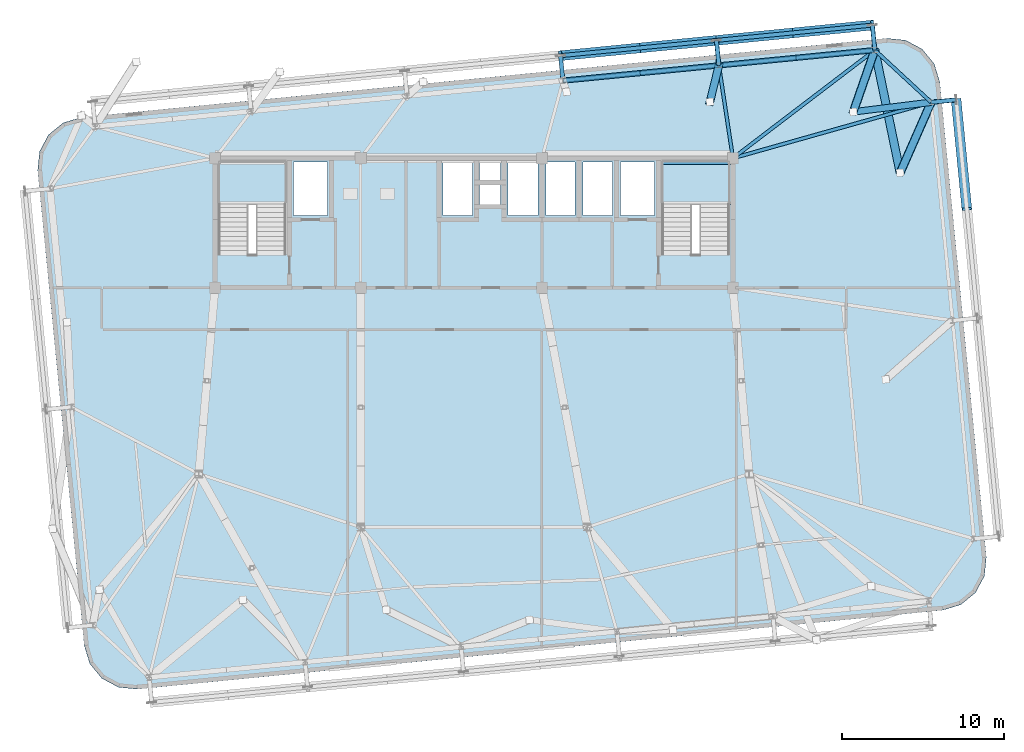
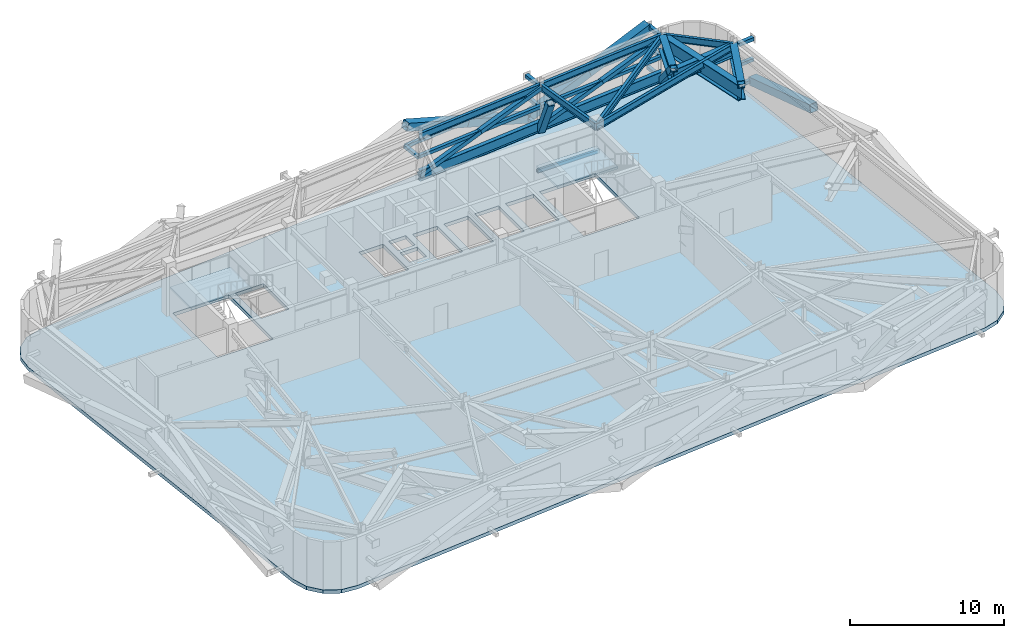
# One storey, part 12 of 24: 28 members, 11 beams, 3 slabs, 2 elements without a shape of their own.
"""IFC4 building model written with IfcOpenShell, lengths in metres."""

from ifc_helpers import new_model, si_unit, direction, frame, origin, origin_2d, place, context, subcontext, project, spatial, polyline, hollow_rectangle, i_section, outline, extrude, source, transform, mapped, material, layer, layer_set, material_profile, profile_set, type_object, element, aggregate, save


model = new_model("IFC4")

# Units and contexts
model_context = context("Model", 3, precision=1e-05, world=origin(), true_north=direction((0.0, 1.0)))
body_context = subcontext(model_context, "Body", "Model", "MODEL_VIEW")
ifc_project = project(units=[si_unit("LENGTHUNIT", "METRE"), si_unit("AREAUNIT", "SQUARE_METRE"), si_unit("VOLUMEUNIT", "CUBIC_METRE"), si_unit("PLANEANGLEUNIT", "RADIAN"), si_unit("MASSUNIT", "GRAM", prefix="KILO")], contexts=[model_context])

# Site, building, storey
site_placement = place(None, origin())
site = spatial("IfcSite", under=ifc_project, at=site_placement, CompositionType="ELEMENT")
building_placement = place(site_placement, origin())
building = spatial("IfcBuilding", under=site, at=building_placement, Name="Taldren Reach Tower", CompositionType="ELEMENT")
storey_placement = place(building_placement, frame((0.0, 0.0, 112.35009765625)))
storey = spatial("IfcBuildingStorey", under=building, at=storey_placement, Name="L34", CompositionType="ELEMENT", Elevation=112.35009765625)

# Beam
ifc_material_1 = material(Name="Steel Gr 350 (350PLUS)", Category="steel")
ifc_material_profile_1 = material_profile(ifc_material_1, i_section(OverallWidth=0.208984375, OverallDepth=0.528076171875, WebThickness=0.009521484375, FlangeThickness=0.01318359375, at=origin_2d()), Name="530UB82.0")
ifc_profile_set_1 = profile_set([ifc_material_profile_1], Name="Steel Gr 350 (350PLUS)")
beam_type_1 = type_object("IfcBeamType", Name="SP-UB530B", PredefinedType="SPANDREL", material=ifc_profile_set_1)
shared_shape_1 = source(origin(), body_context, "Body", "SweptSolid", [
    extrude(i_section(OverallWidth=0.208984375, OverallDepth=0.528076171875, WebThickness=0.009521484375, FlangeThickness=0.01318359375, at=origin_2d()), origin(), (0.0, 0.0, 1.0), 4.74609375),
])
beam_1_placement = place(storey_placement, frame((63.247314453125, 35.454345703125, 3.515869140625), z_axis=(-0.733547883762, 0.679637772809, 0.0), x_axis=(-0.679637772809, -0.733547883762, 0.0)))
element("IfcBeam", 1, at=beam_1_placement, inside=storey, type_object=beam_type_1, Name="Perimeter spandrel B2 E3-N6 L34", PredefinedType="SPANDREL", context=body_context, shape_type="MappedRepresentation", body=[
    mapped(shared_shape_1, transform((0.0, 0.0, 0.0), scale=1.0)),
])

# Members
ifc_material_2 = material(Name="Steel Gr 450 (C450L0)", Category="steel")
ifc_material_profile_2 = material_profile(ifc_material_2, hollow_rectangle(XDim=0.27490234375, YDim=0.27490234375, WallThickness=0.00927734375, at=origin_2d()), Name="275x275x9.3SHS")
ifc_profile_set_2 = profile_set([ifc_material_profile_2], Name="Steel Gr 450 (C450L0)")
member_type_1 = type_object("IfcMemberType", Name="MB-TIE273", PredefinedType="STRUT", material=ifc_profile_set_2)
shared_shape_2 = source(origin(), body_context, "Body", "SweptSolid", [
    extrude(hollow_rectangle(XDim=0.27490234375, YDim=0.27490234375, WallThickness=0.00927734375, at=origin_2d()), origin(), (0.0, 0.0, 1.0), 1.5498046875),
])
for number, where, z_axis, x_axis, name in (
    (2, (50.132080078125, 37.7353515625, 3.5), (-0.097663201064, 0.995219523099, 0.0), (-0.995219523099, -0.097663201064, 0.0), "Exoskeleton diaphragm tie strut B2-N5 L34"),
    (3, (59.765869140625, 38.679931640625, 3.5), (-0.097663201064, 0.995219523099, 0.0), (-0.995219523099, -0.097663201064, 0.0), "Exoskeleton diaphragm tie strut B2-N6 L34"),
    (4, (63.247314453125, 35.454345703125, 3.5), (0.995234821595, 0.097507178627, 0.0), (-0.097507178627, 0.995234821595, 0.0), "Exoskeleton diaphragm tie strut B2-E3 L34"),
):
    element("IfcMember", number, at=place(storey_placement, frame(where, z_axis=z_axis, x_axis=x_axis)), inside=storey, type_object=member_type_1, Name=name, PredefinedType="STRUT", context=body_context, shape_type="MappedRepresentation", body=[
        mapped(shared_shape_2, transform((0.0, 0.0, 0.0), scale=1.0)),
    ])
ifc_material_3 = material(Name="Steel Gr 350 (C350L0)", Category="steel")
ifc_material_profile_3 = material_profile(ifc_material_3, hollow_rectangle(XDim=0.25, YDim=0.25, WallThickness=0.010009765625, at=origin_2d()), Name="250x250x10.0SHS")
ifc_profile_set_3 = profile_set([ifc_material_profile_3], Name="Steel Gr 350 (C350L0)")
member_type_2 = type_object("IfcMemberType", Name="MB-POST250", PredefinedType="POST", material=ifc_profile_set_3)
shared_shape_3 = source(origin(), body_context, "Body", "SweptSolid", [
    extrude(hollow_rectangle(XDim=0.25, YDim=0.25, WallThickness=0.010009765625, at=origin_2d()), origin(), (0.0, 0.0, 1.0), 1.5498046875),
])
for number, where, z_axis, x_axis, name in (
    (5, (50.132080078125, 37.7353515625, 0.219970703125), (-0.097663201064, 0.995219523099, 0.0), (-0.995219523099, -0.097663201064, 0.0), "Exoskeleton base diaphragm tie strut B2-N5 L34"),
    (6, (59.765869140625, 38.679931640625, 0.219970703125), (-0.097663201064, 0.995219523099, 0.0), (-0.995219523099, -0.097663201064, 0.0), "Exoskeleton base diaphragm tie strut B2-N6 L34"),
    (7, (63.247314453125, 35.454345703125, 0.219970703125), (0.995234821595, 0.097507178627, 0.0), (-0.097507178627, 0.995234821595, 0.0), "Exoskeleton base diaphragm tie strut B2-E3 L34"),
    (8, (40.498291015625, 36.790771484375, 1.85986328125), (-0.097663201064, 0.995219523099, 0.0), (-0.995219523099, -0.097663201064, 0.0), "Exoskeleton mid-tier diaphragm tie B2-N4 L34"),
    (9, (50.132080078125, 37.7353515625, 1.85986328125), (-0.097663201064, 0.995219523099, 0.0), (-0.995219523099, -0.097663201064, 0.0), "Exoskeleton mid-tier diaphragm tie B2-N5 L34"),
    (10, (59.765869140625, 38.679931640625, 1.85986328125), (-0.097663201064, 0.995219523099, 0.0), (-0.995219523099, -0.097663201064, 0.0), "Exoskeleton mid-tier diaphragm tie B2-N6 L34"),
    (11, (63.247314453125, 35.454345703125, 1.85986328125), (0.995234821595, 0.097507178627, 0.0), (-0.097507178627, 0.995234821595, 0.0), "Exoskeleton mid-tier diaphragm tie B2-E3 L34"),
):
    element("IfcMember", number, at=place(storey_placement, frame(where, z_axis=z_axis, x_axis=x_axis)), inside=storey, type_object=member_type_2, Name=name, PredefinedType="POST", context=body_context, shape_type="MappedRepresentation", body=[
        mapped(shared_shape_3, transform((0.0, 0.0, 0.0), scale=1.0)),
    ])

# Beams
shared_shape_4 = source(origin(), body_context, "Body", "SweptSolid", [
    extrude(i_section(OverallWidth=0.208984375, OverallDepth=0.528076171875, WebThickness=0.009521484375, FlangeThickness=0.01318359375, at=origin_2d()), origin(), (0.0, 0.0, 1.0), 9.679931640625),
])
for number, where, z_axis, x_axis, name in (
    (12, (59.765869140625, 38.679931640625, 3.515869140625), (-0.995227612658, -0.097580730699, 0.0), (0.097580730699, -0.995227612658, 0.0), "Perimeter spandrel B2 N6-N5 L34"),
    (13, (50.132080078125, 37.7353515625, 3.515869140625), (-0.995227612658, -0.097580730699, 0.0), (0.097580730699, -0.995227612658, 0.0), "Perimeter spandrel B2 N5-N4 L34"),
):
    element("IfcBeam", number, at=place(storey_placement, frame(where, z_axis=z_axis, x_axis=x_axis)), inside=storey, type_object=beam_type_1, Name=name, PredefinedType="SPANDREL", context=body_context, shape_type="MappedRepresentation", body=[
        mapped(shared_shape_4, transform((0.0, 0.0, 0.0), scale=1.0)),
    ])
ifc_material_profile_4 = material_profile(ifc_material_1, i_section(OverallWidth=0.208984375, OverallDepth=0.532958984375, WebThickness=0.01025390625, FlangeThickness=0.015625, at=origin_2d()), Name="530UB92.4")
ifc_profile_set_4 = profile_set([ifc_material_profile_4], Name="Steel Gr 350 (350PLUS)")
beam_type_2 = type_object("IfcBeamType", Name="BM-UB530A", PredefinedType="BEAM", material=ifc_profile_set_4)
shared_shape_5 = source(origin(), body_context, "Body", "SweptSolid", [
    extrude(i_section(OverallWidth=0.208984375, OverallDepth=0.532958984375, WebThickness=0.01025390625, FlangeThickness=0.015625, at=origin_2d()), origin(), (0.0, 0.0, 1.0), 12.72509765625),
])
beam_2_placement = place(storey_placement, frame((51.0, 32.0, 3.513427734375), z_axis=(0.962450190096, 0.271458342264, 0.0), x_axis=(-0.271458342264, 0.962450190096, 0.0)))
element("IfcBeam", 14, at=beam_2_placement, inside=storey, type_object=beam_type_2, Name="Primary floor girder B2-E3 L34", PredefinedType="BEAM", context=body_context, shape_type="MappedRepresentation", body=[
    mapped(shared_shape_5, transform((0.0, 0.0, 0.0), scale=1.0)),
])
shared_shape_6 = source(origin(), body_context, "Body", "SweptSolid", [
    extrude(i_section(OverallWidth=0.208984375, OverallDepth=0.532958984375, WebThickness=0.01025390625, FlangeThickness=0.015625, at=origin_2d()), origin(), (0.0, 0.0, 1.0), 11.02099609375),
])
beam_3_placement = place(storey_placement, frame((51.0, 32.0, 3.513427734375), z_axis=(0.795380356763, 0.606110623629, 0.0), x_axis=(-0.606110623629, 0.795380356763, 0.0)))
element("IfcBeam", 15, at=beam_3_placement, inside=storey, type_object=beam_type_2, Name="Primary floor girder B2-N6 L34", PredefinedType="BEAM", context=body_context, shape_type="MappedRepresentation", body=[
    mapped(shared_shape_6, transform((0.0, 0.0, 0.0), scale=1.0)),
])
shared_shape_7 = source(origin(), body_context, "Body", "SweptSolid", [
    extrude(i_section(OverallWidth=0.208984375, OverallDepth=0.532958984375, WebThickness=0.01025390625, FlangeThickness=0.015625, at=origin_2d()), origin(), (0.0, 0.0, 1.0), 5.800537109375),
])
beam_4_placement = place(storey_placement, frame((51.0, 32.0, 3.513427734375), z_axis=(-0.149624592867, 0.988742879221, 0.0), x_axis=(-0.988742879221, -0.149624592867, 0.0)))
element("IfcBeam", 16, at=beam_4_placement, inside=storey, type_object=beam_type_2, Name="Primary floor girder B2-N5 L34", PredefinedType="BEAM", context=body_context, shape_type="MappedRepresentation", body=[
    mapped(shared_shape_7, transform((0.0, 0.0, 0.0), scale=1.0)),
])

# Members
shared_shape_8 = source(origin(), body_context, "Body", "SweptSolid", [
    extrude(hollow_rectangle(XDim=0.25, YDim=0.25, WallThickness=0.010009765625, at=origin_2d()), origin(), (0.0, 0.0, 1.0), 9.679931640625),
])
for number, where, z_axis, x_axis, name in (
    (17, (40.498291015625, 36.790771484375, 1.954833984375), (0.995227612658, 0.097580730699, 0.0), (-0.097580730699, 0.995227612658, 0.0), "Belt Truss Transfer Mid Chord N4 L34"),
    (18, (50.132080078125, 37.7353515625, 1.954833984375), (0.995227612658, 0.097580730699, 0.0), (-0.097580730699, 0.995227612658, 0.0), "Belt Truss Transfer Mid Chord N5 L34"),
    (19, (40.346923828125, 38.333251953125, 1.85986328125), (0.995227612658, 0.097580730699, 0.0), (-0.097580730699, 0.995227612658, 0.0), "Exoskeleton mid-height ring chord B2-N4 L34"),
    (20, (49.980712890625, 39.27783203125, 1.85986328125), (0.995227612658, 0.097580730699, 0.0), (-0.097580730699, 0.995227612658, 0.0), "Exoskeleton mid-height ring chord B2-N5 L34"),
):
    element("IfcMember", number, at=place(storey_placement, frame(where, z_axis=z_axis, x_axis=x_axis)), inside=storey, type_object=member_type_2, Name=name, PredefinedType="POST", context=body_context, shape_type="MappedRepresentation", body=[
        mapped(shared_shape_8, transform((0.0, 0.0, 0.0), scale=1.0)),
    ])
ifc_material_profile_5 = material_profile(ifc_material_2, hollow_rectangle(XDim=0.4599609375, YDim=0.4599609375, WallThickness=0.01611328125, at=origin_2d()), Name="460x460x16.0SHS")
ifc_profile_set_5 = profile_set([ifc_material_profile_5], Name="Steel Gr 450 (C450L0)")
member_type_3 = type_object("IfcMemberType", Name="MB-EXO457", PredefinedType="BRACE", material=ifc_profile_set_5)
shared_shape_9 = source(origin(), body_context, "Body", "SweptSolid", [
    extrude(hollow_rectangle(XDim=0.4599609375, YDim=0.4599609375, WallThickness=0.01611328125, at=origin_2d()), origin(), (0.0, 0.0, 1.0), 4.418701171875),
])
member_1_placement = place(storey_placement, frame((50.132080078125, 37.7353515625, 0.02001953125), z_axis=(-0.1253657905, -0.510192908539, 0.850874029836), x_axis=(0.971112056312, -0.238623917671, 0.0)))
element("IfcMember", 21, at=member_1_placement, inside=storey, type_object=member_type_3, Name="Outrigger Belt Truss Transfer Strut TS-B3-N5 L34", PredefinedType="BRACE", context=body_context, shape_type="MappedRepresentation", body=[
    mapped(shared_shape_9, transform((0.0, 0.0, 0.0), scale=1.0)),
])
shared_shape_10 = source(origin(), body_context, "Body", "SweptSolid", [
    extrude(hollow_rectangle(XDim=0.4599609375, YDim=0.4599609375, WallThickness=0.01611328125, at=origin_2d()), origin(), (0.0, 0.0, 1.0), 5.521240234375),
])
member_2_placement = place(storey_placement, frame((59.765869140625, 38.679931640625, 0.02001953125), z_axis=(-0.24077424991, -0.691590315628, 0.680977676514), x_axis=(0.944403076817, -0.328789945861, 0.0)))
element("IfcMember", 22, at=member_2_placement, inside=storey, type_object=member_type_3, Name="Outrigger Belt Truss Transfer Strut TS-B3-N6 L34", PredefinedType="BRACE", context=body_context, shape_type="MappedRepresentation", body=[
    mapped(shared_shape_10, transform((0.0, 0.0, 0.0), scale=1.0)),
])

# Beams
ifc_material_profile_6 = material_profile(ifc_material_1, i_section(OverallWidth=0.5, OverallDepth=1.199951171875, WebThickness=0.01611328125, FlangeThickness=0.0400390625, at=origin_2d()), Name="1200WB455")
ifc_profile_set_6 = profile_set([ifc_material_profile_6], Name="Steel Gr 350 (350PLUS)")
beam_type_3 = type_object("IfcBeamType", Name="BM-WB1200", PredefinedType="BEAM", material=ifc_profile_set_6)
shared_shape_11 = source(origin(), body_context, "Body", "SweptSolid", [
    extrude(i_section(OverallWidth=0.5, OverallDepth=1.199951171875, WebThickness=0.01611328125, FlangeThickness=0.0400390625, at=origin_2d()), origin(), (0.0, 0.0, 1.0), 4.043212890625),
])
beam_5_placement = place(storey_placement, frame((59.765869140625, 38.679931640625, 3.179931640625), z_axis=(-0.328789945861, -0.944403076817, 0.0), x_axis=(0.944403076817, -0.328789945861, 0.0)))
element("IfcBeam", 23, at=beam_5_placement, inside=storey, type_object=beam_type_3, Name="Belt Truss Transfer Girder TG-B3-N6A on L34", PredefinedType="BEAM", context=body_context, shape_type="MappedRepresentation", body=[
    mapped(shared_shape_11, transform((0.0, 0.0, 0.0), scale=1.0)),
])
ifc_material_profile_7 = material_profile(ifc_material_1, i_section(OverallWidth=0.39990234375, OverallDepth=1.02392578125, WebThickness=0.01611328125, FlangeThickness=0.031982421875, at=origin_2d()), Name="1000WB322")
ifc_profile_set_7 = profile_set([ifc_material_profile_7], Name="Steel Gr 350 (350PLUS)")
beam_type_4 = type_object("IfcBeamType", Name="BM-WB1000", PredefinedType="BEAM", material=ifc_profile_set_7)
shared_shape_12 = source(origin(), body_context, "Body", "SweptSolid", [
    extrude(i_section(OverallWidth=0.39990234375, OverallDepth=1.02392578125, WebThickness=0.01611328125, FlangeThickness=0.031982421875, at=origin_2d()), origin(), (0.0, 0.0, 1.0), 4.84716796875),
])
beam_6_placement = place(storey_placement, frame((63.247314453125, 35.454345703125, 3.267822265625), z_axis=(-0.992494090845, -0.122292598456, 0.0), x_axis=(0.122292598456, -0.992494090845, 0.0)))
element("IfcBeam", 24, at=beam_6_placement, inside=storey, type_object=beam_type_4, Name="Belt Truss Transfer Tie Girder TG-B3-N6B on L34", PredefinedType="BEAM", context=body_context, shape_type="MappedRepresentation", body=[
    mapped(shared_shape_12, transform((0.0, 0.0, 0.0), scale=1.0)),
])

# Member
shared_shape_13 = source(origin(), body_context, "Body", "SweptSolid", [
    extrude(hollow_rectangle(XDim=0.4599609375, YDim=0.4599609375, WallThickness=0.01611328125, at=origin_2d()), origin(), (0.0, 0.0, 1.0), 6.063232421875),
])
member_3_placement = place(storey_placement, frame((63.247314453125, 35.454345703125, 0.02001953125), z_axis=(-0.316044502795, -0.718056009471, 0.620089864064), x_axis=(0.915268104972, -0.402845250711, 0.0)))
element("IfcMember", 25, at=member_3_placement, inside=storey, type_object=member_type_3, Name="Outrigger Belt Truss Transfer Strut TS-B3-E3 L34", PredefinedType="BRACE", context=body_context, shape_type="MappedRepresentation", body=[
    mapped(shared_shape_13, transform((0.0, 0.0, 0.0), scale=1.0)),
])

# Beams
shared_shape_14 = source(origin(), body_context, "Body", "SweptSolid", [
    extrude(i_section(OverallWidth=0.5, OverallDepth=1.199951171875, WebThickness=0.01611328125, FlangeThickness=0.0400390625, at=origin_2d()), origin(), (0.0, 0.0, 1.0), 4.7568359375),
])
beam_7_placement = place(storey_placement, frame((63.247314453125, 35.454345703125, 3.179931640625), z_axis=(-0.402845250711, -0.915268104972, 0.0), x_axis=(0.915268104972, -0.402845250711, 0.0)))
element("IfcBeam", 26, at=beam_7_placement, inside=storey, type_object=beam_type_3, Name="Belt Truss Transfer Girder TG-B3-E3A on L34", PredefinedType="BEAM", context=body_context, shape_type="MappedRepresentation", body=[
    mapped(shared_shape_14, transform((0.0, 0.0, 0.0), scale=1.0)),
])
shared_shape_15 = source(origin(), body_context, "Body", "SweptSolid", [
    extrude(i_section(OverallWidth=0.5, OverallDepth=1.199951171875, WebThickness=0.01611328125, FlangeThickness=0.0400390625, at=origin_2d()), origin(), (0.0, 0.0, 1.0), 7.7392578125),
])
beam_8_placement = place(storey_placement, frame((59.765869140625, 38.679931640625, 3.179931640625), z_axis=(0.202239451185, -0.979336103891, 0.0), x_axis=(0.979336103891, 0.202239451185, 0.0)))
element("IfcBeam", 27, at=beam_8_placement, inside=storey, type_object=beam_type_3, Name="Belt Truss Transfer Tie Girder TG-B3-E3B on L34", PredefinedType="BEAM", context=body_context, shape_type="MappedRepresentation", body=[
    mapped(shared_shape_15, transform((0.0, 0.0, 0.0), scale=1.0)),
])

# Members
ifc_material_profile_8 = material_profile(ifc_material_1, i_section(OverallWidth=0.300048828125, OverallDepth=0.81591796875, WebThickness=0.011962890625, FlangeThickness=0.02392578125, at=origin_2d()), Name="800WB192")
ifc_profile_set_8 = profile_set([ifc_material_profile_8], Name="Steel Gr 350 (350PLUS)")
member_type_4 = type_object("IfcMemberType", Name="MB-CH800", PredefinedType="CHORD", material=ifc_profile_set_8)
shared_shape_16 = source(origin(), body_context, "Body", "SweptSolid", [
    extrude(i_section(OverallWidth=0.300048828125, OverallDepth=0.81591796875, WebThickness=0.011962890625, FlangeThickness=0.02392578125, at=origin_2d()), origin(), (0.0, 0.0, 1.0), 9.679931640625),
])
for number, where, z_axis, x_axis, name in (
    (28, (40.498291015625, 36.790771484375, 0.449951171875), (0.995227612658, 0.097580730699, 0.0), (-0.097580730699, 0.995227612658, 0.0), "Belt Truss Transfer Bottom Chord N4 L34"),
    (29, (50.132080078125, 37.7353515625, 0.449951171875), (0.995227612658, 0.097580730699, 0.0), (-0.097580730699, 0.995227612658, 0.0), "Belt Truss Transfer Bottom Chord N5 L34"),
):
    element("IfcMember", number, at=place(storey_placement, frame(where, z_axis=z_axis, x_axis=x_axis)), inside=storey, type_object=member_type_4, Name=name, PredefinedType="CHORD", context=body_context, shape_type="MappedRepresentation", body=[
        mapped(shared_shape_16, transform((0.0, 0.0, 0.0), scale=1.0)),
    ])
ifc_material_profile_9 = material_profile(ifc_material_2, hollow_rectangle(XDim=0.324951171875, YDim=0.324951171875, WallThickness=0.0126953125, at=origin_2d()), Name="325x325x12.7SHS")
ifc_profile_set_9 = profile_set([ifc_material_profile_9], Name="Steel Gr 450 (C450L0)")
member_type_5 = type_object("IfcMemberType", Name="MB-BR324", PredefinedType="BRACE", material=ifc_profile_set_9)
shared_shape_17 = source(origin(), body_context, "Body", "SweptSolid", [
    extrude(hollow_rectangle(XDim=0.324951171875, YDim=0.324951171875, WallThickness=0.0126953125, at=origin_2d()), origin(), (0.0, 0.0, 1.0), 5.068603515625),
])
for number, where, z_axis, x_axis, name in (
    (30, (40.498291015625, 36.790771484375, 0.449951171875), (0.950351671839, 0.093156621051, 0.296906624694), (-0.097555749586, 0.995230061706, 0.0), "Belt Truss Transfer Diagonal N4 L34"),
    (31, (45.315185546875, 37.262939453125, 1.954833984375), (0.950333814448, 0.093203037555, 0.296949212675), (-0.097605711627, 0.995225162995, 0.0), "Belt Truss Transfer Diagonal N4 L34"),
    (32, (50.132080078125, 37.7353515625, 0.449951171875), (0.950351671839, 0.093156621051, 0.296906624694), (-0.097555749586, 0.995230061706, 0.0), "Belt Truss Transfer Diagonal N5 L34"),
    (33, (54.948974609375, 38.20751953125, 1.954833984375), (0.950333814448, 0.093203037555, 0.296949212675), (-0.097605711627, 0.995225162995, 0.0), "Belt Truss Transfer Diagonal N5 L34"),
):
    element("IfcMember", number, at=place(storey_placement, frame(where, z_axis=z_axis, x_axis=x_axis)), inside=storey, type_object=member_type_5, Name=name, PredefinedType="BRACE", context=body_context, shape_type="MappedRepresentation", body=[
        mapped(shared_shape_17, transform((0.0, 0.0, 0.0), scale=1.0)),
    ])
ifc_material_profile_10 = material_profile(ifc_material_2, hollow_rectangle(XDim=0.614990234375, YDim=0.614990234375, WallThickness=0.02490234375, at=origin_2d()), Name="615x615x25.0SHS")
ifc_profile_set_10 = profile_set([ifc_material_profile_10], Name="Steel Gr 450 (C450L0)")
member_type_6 = type_object("IfcMemberType", Name="MB-EXO610", PredefinedType="BRACE", material=ifc_profile_set_10)
shared_shape_18 = source(origin(), body_context, "Body", "SweptSolid", [
    extrude(hollow_rectangle(XDim=0.614990234375, YDim=0.614990234375, WallThickness=0.02490234375, at=origin_2d()), origin(), (0.0, 0.0, 1.0), 5.1103515625),
])
for number, where, z_axis, x_axis, name in (
    (34, (49.980712890625, 39.27783203125, 0.219970703125), (-0.942594546699, -0.092396241932, 0.320902563111), (0.097555749586, -0.995230061706, 0.0), "Exoskeleton Diagrid Brace B2-N4 L34"),
    (35, (45.163818359375, 38.8056640625, 1.85986328125), (-0.942575933361, -0.092442191133, 0.320944000016), (0.097605711627, -0.995225162995, 0.0), "Exoskeleton Diagrid Brace B2-N4 L34"),
    (36, (49.980712890625, 39.27783203125, 0.219970703125), (0.942590384848, 0.092443608448, 0.320901146225), (-0.097605711627, 0.995225162995, 0.0), "Exoskeleton Diagrid Brace B2-N5 L34"),
    (37, (54.797607421875, 39.750244140625, 1.85986328125), (0.94258009502, 0.09239482533, 0.320945417047), (-0.097555749586, 0.995230061706, 0.0), "Exoskeleton Diagrid Brace B2-N5 L34"),
):
    element("IfcMember", number, at=place(storey_placement, frame(where, z_axis=z_axis, x_axis=x_axis)), inside=storey, type_object=member_type_6, Name=name, PredefinedType="BRACE", context=body_context, shape_type="MappedRepresentation", body=[
        mapped(shared_shape_18, transform((0.0, 0.0, 0.0), scale=1.0)),
    ])
shared_shape_19 = source(origin(), body_context, "Body", "SweptSolid", [
    extrude(hollow_rectangle(XDim=0.614990234375, YDim=0.614990234375, WallThickness=0.02490234375, at=origin_2d()), origin(), (0.0, 0.0, 1.0), 6.970703125),
])
member_4_placement = place(storey_placement, frame((64.789794921875, 35.60546875, 0.219970703125), z_axis=(0.094845158987, -0.967294535045, 0.235256622199), x_axis=(0.995227290009, 0.097584021339, 0.0)))
element("IfcMember", 38, at=member_4_placement, inside=storey, type_object=member_type_6, Name="Exoskeleton Diagrid Brace B2-E2 L34", PredefinedType="BRACE", context=body_context, shape_type="MappedRepresentation", body=[
    mapped(shared_shape_19, transform((0.0, 0.0, 0.0), scale=1.0)),
])

# Beam
ifc_material_profile_11 = material_profile(ifc_material_3, hollow_rectangle(XDim=0.14990234375, YDim=0.25, WallThickness=0.009033203125, at=origin_2d()), Name="250x150x9.0RHS")
ifc_profile_set_11 = profile_set([ifc_material_profile_11], Name="Steel Gr 350 (C350L0)")
beam_type_5 = type_object("IfcBeamType", Name="LN-RHS250", PredefinedType="LINTEL", material=ifc_profile_set_11)
shared_shape_20 = source(origin(), body_context, "Body", "SweptSolid", [
    extrude(hollow_rectangle(XDim=0.14990234375, YDim=0.25, WallThickness=0.009033203125, at=origin_2d()), origin(), (0.0, 0.0, 1.0), 4.60009765625),
])
beam_9_placement = place(storey_placement, frame((46.39990234375, 31.699951171875, 1.794921875), z_axis=(1.0, 0.0, 0.0), x_axis=(0.0, 1.0, 0.0)))
element("IfcBeam", 39, at=beam_9_placement, inside=storey, type_object=beam_type_5, Name="Stair half-landing support beam ST2-L34-2", PredefinedType="LINTEL", context=body_context, shape_type="MappedRepresentation", body=[
    mapped(shared_shape_20, transform((0.0, 0.0, 0.0), scale=1.0)),
])

# Slab
ifc_material_4 = material(Name="Concrete S50 (50 MPa)", Category="concrete")
ifc_layer_1 = layer(ifc_material_4, 0.280029296875)
ifc_layer_set_1 = layer_set([ifc_layer_1], Name="Concrete S50 (50 MPa)")
slab_type_1 = type_object("IfcSlabType", Name="SL-FLR-280", PredefinedType="FLOOR", material=ifc_layer_set_1)
slab_1_placement = place(storey_placement, frame((0.0, 0.0, -0.280029296875)))
element("IfcSlab", 40, at=slab_1_placement, inside=storey, type_object=slab_type_1, Name="Suspended floor slab L34", PredefinedType="FLOOR", context=body_context, shape_type="SweptSolid", body=[
    extrude(outline(polyline([(63.962890625, 4.07421875), (65.0830078125, 4.41357421875), (65.98828125, 5.15576171875), (66.54052734375, 6.187744140625), (66.65576171875, 7.352783203125), (63.777099609375, 36.7119140625), (63.437744140625, 37.832275390625), (62.695556640625, 38.7373046875), (61.663330078125, 39.28955078125), (60.49853515625, 39.40478515625), (10.7373046875, 34.525634765625), (9.616943359375, 34.1865234375), (8.711669921875, 33.4443359375), (8.159423828125, 32.412109375), (8.044189453125, 31.247314453125), (10.923095703125, 1.88818359375), (11.26220703125, 0.767822265625), (12.00439453125, -0.137451171875), (13.03662109375, -0.689697265625), (14.201416015625, -0.804931640625), (63.962890625, 4.07421875)]), holes=[polyline([(19.219970703125, 26.050048828125), (23.3798828125, 26.050048828125), (23.3798828125, 31.820068359375), (19.219970703125, 31.820068359375), (19.219970703125, 26.050048828125)]), polyline([(46.6201171875, 26.050048828125), (50.780029296875, 26.050048828125), (50.780029296875, 31.820068359375), (46.6201171875, 31.820068359375), (46.6201171875, 26.050048828125)]), polyline([(23.85009765625, 28.449951171875), (25.949951171875, 28.449951171875), (25.949951171875, 31.75), (23.85009765625, 31.75), (23.85009765625, 28.449951171875)]), polyline([(44.050048828125, 28.449951171875), (46.14990234375, 28.449951171875), (46.14990234375, 31.75), (44.050048828125, 31.75), (44.050048828125, 28.449951171875)]), polyline([(33.10009765625, 28.449951171875), (34.89990234375, 28.449951171875), (34.89990234375, 31.75), (33.10009765625, 31.75), (33.10009765625, 28.449951171875)]), polyline([(37.10009765625, 28.449951171875), (38.949951171875, 28.449951171875), (38.949951171875, 31.75), (37.10009765625, 31.75), (37.10009765625, 28.449951171875)]), polyline([(39.449951171875, 28.449951171875), (41.25, 28.449951171875), (41.25, 31.75), (39.449951171875, 31.75), (39.449951171875, 28.449951171875)]), polyline([(41.75, 28.449951171875), (43.550048828125, 28.449951171875), (43.550048828125, 31.75), (41.75, 31.75), (41.75, 28.449951171875)]), polyline([(35.35009765625, 30.64990234375), (36.64990234375, 30.64990234375), (36.64990234375, 31.85009765625), (35.35009765625, 31.85009765625), (35.35009765625, 30.64990234375)]), polyline([(35.35009765625, 29.14990234375), (36.64990234375, 29.14990234375), (36.64990234375, 30.35009765625), (35.35009765625, 30.35009765625), (35.35009765625, 29.14990234375)])]), origin(), (0.0, 0.0, 1.0), 0.280029296875),
])

# Stair, slab
stair_type = type_object("IfcStairType", Name="ST-HT-420", PredefinedType="HALF_TURN_STAIR", material=ifc_material_4)
stair_1_placement = place(storey_placement, origin())
stair_1 = element("IfcStair", 41, at=stair_1_placement, inside=storey, type_object=stair_type, Name="Fire-isolated exit stair ST1 L34", PredefinedType="HALF_TURN_STAIR")
ifc_layer_2 = layer(ifc_material_4, 0.179931640625)
ifc_layer_set_2 = layer_set([ifc_layer_2], Name="Concrete S50 (50 MPa)")
slab_type_2 = type_object("IfcSlabType", Name="SL-LAND-180", PredefinedType="LANDING", material=ifc_layer_set_2)
slab_2_placement = place(storey_placement, frame((0.0, 0.0, 1.919921875)))
slab_2 = element("IfcSlab", 42, at=slab_2_placement, type_object=slab_type_2, Name="ST1 landing 1", PredefinedType="LANDING", context=body_context, shape_type="SweptSolid", body=[
    extrude(outline(polyline([(19.0400390625, 29.135009765625), (23.56005859375, 29.135009765625), (23.56005859375, 31.8701171875), (19.0400390625, 31.8701171875), (19.0400390625, 29.135009765625)])), origin(), (0.0, 0.0, 1.0), 0.179931640625),
])
aggregate(stair_1, [slab_2])

stair_2_placement = place(storey_placement, origin())
stair_2 = element("IfcStair", 43, at=stair_2_placement, inside=storey, type_object=stair_type, Name="Fire-isolated exit stair ST2 L34", PredefinedType="HALF_TURN_STAIR")
slab_3_placement = place(storey_placement, frame((0.0, 0.0, 1.919921875)))
slab_3 = element("IfcSlab", 44, at=slab_3_placement, type_object=slab_type_2, Name="ST2 landing 1", PredefinedType="LANDING", context=body_context, shape_type="SweptSolid", body=[
    extrude(outline(polyline([(46.43994140625, 29.135009765625), (50.9599609375, 29.135009765625), (50.9599609375, 31.8701171875), (46.43994140625, 31.8701171875), (46.43994140625, 29.135009765625)])), origin(), (0.0, 0.0, 1.0), 0.179931640625),
])
aggregate(stair_2, [slab_3])

save(model, "model.ifc")
